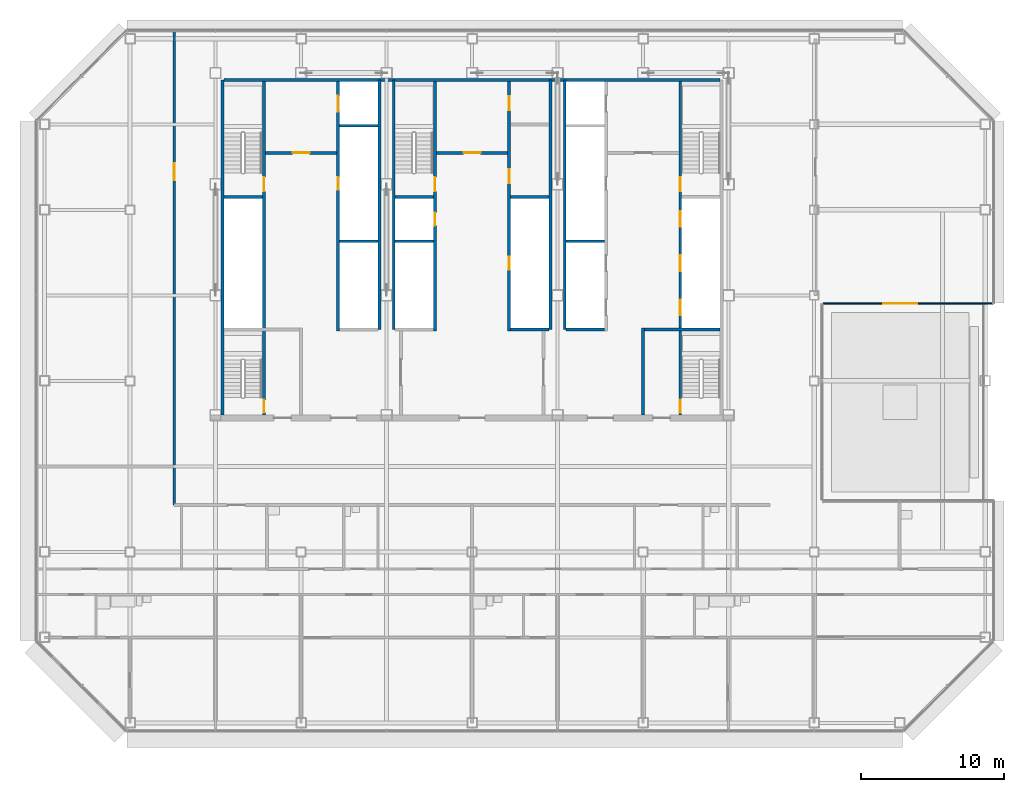
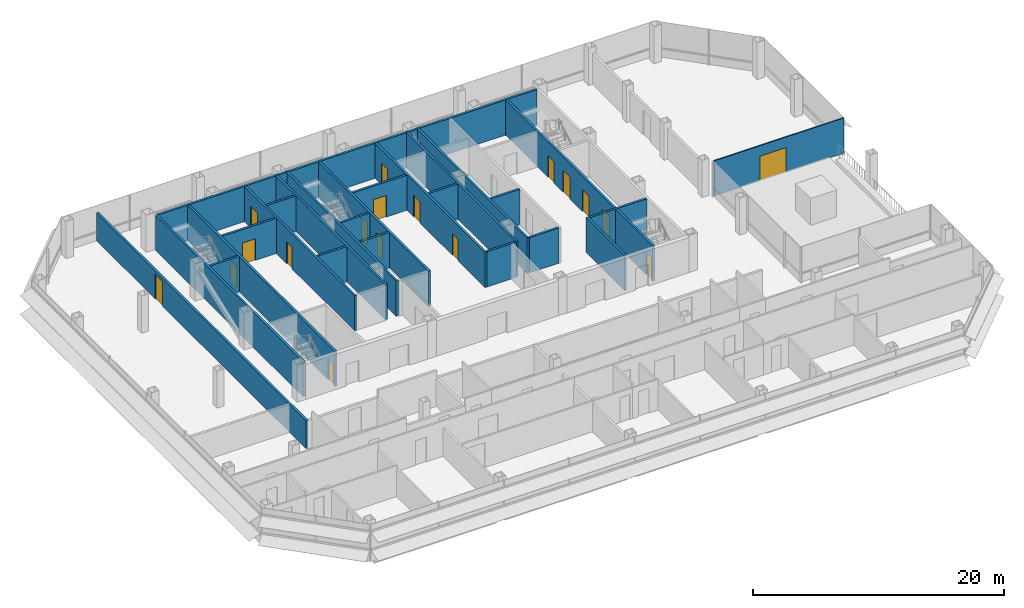
# One storey, part 21 of 27: 26 walls, 18 doors, 18 openings.
"""IFC4 building model written with IfcOpenShell, lengths in metres."""

from ifc_helpers import new_model, si_unit, direction, frame, frame_2d, origin, place, context, subcontext, project, spatial, rectangle, extrude, material, layer, layer_set, type_object, element, fill, save


model = new_model("IFC4")

# Units and contexts
model_context = context("Model", 3, precision=1e-05, world=origin(), true_north=direction((0.0, 1.0)))
body_context = subcontext(model_context, "Body", "Model", "MODEL_VIEW")
ifc_project = project(units=[si_unit("LENGTHUNIT", "METRE"), si_unit("AREAUNIT", "SQUARE_METRE"), si_unit("VOLUMEUNIT", "CUBIC_METRE"), si_unit("PLANEANGLEUNIT", "RADIAN"), si_unit("MASSUNIT", "GRAM", prefix="KILO")], contexts=[model_context])

# Site, building, storey
site_placement = place(None, origin())
site = spatial("IfcSite", under=ifc_project, at=site_placement, CompositionType="ELEMENT")
building_placement = place(site_placement, origin())
building = spatial("IfcBuilding", under=site, at=building_placement, Name="Sorahane Residences", CompositionType="ELEMENT")
storey_placement = place(building_placement, frame((0.0, 0.0, 167.199951171875)))
storey = spatial("IfcBuildingStorey", under=building, at=storey_placement, Name="L38", CompositionType="ELEMENT", Elevation=167.199951171875)

# Walls
ifc_material_1 = material(Name="Concrete C30", Category="concrete")
ifc_layer_1 = layer(ifc_material_1, 0.199951171875)
ifc_layer_set_1 = layer_set([ifc_layer_1], Name="Core face wall 200 EI 180")
wall_type_1 = type_object("IfcWallType", Name="Core face wall 200 EI 180", PredefinedType="SOLIDWALL", material=ifc_layer_set_1)
wall_1_placement = place(storey_placement, frame((6.5, 21.60009765625, 0.0), z_axis=(0.0, 0.0, 1.0), x_axis=(0.0, 1.0, 0.0)))
element("IfcWall", 1, at=wall_1_placement, inside=storey, type_object=wall_type_1, Name="L38 core face wall", PredefinedType="SOLIDWALL", context=body_context, shape_type="SweptSolid", body=[
    extrude(rectangle(XDim=23.5, YDim=0.199951171875, at=frame_2d((11.75, 0.0))), origin(), (0.0, 0.0, 1.0), 3.420166015625),
])
wall_2_placement = place(storey_placement, frame((6.60009765625, 45.10009765625, 0.0), z_axis=(0.0, 0.0, 1.0), x_axis=(1.0, 0.0, 0.0)))
element("IfcWall", 2, at=wall_2_placement, inside=storey, type_object=wall_type_1, Name="L38 core face wall", PredefinedType="SOLIDWALL", context=body_context, shape_type="SweptSolid", body=[
    extrude(rectangle(XDim=34.7998046875, YDim=0.199951171875, at=frame_2d((17.39990234375, 0.0))), origin(), (0.0, 0.0, 1.0), 3.420166015625),
])
for number, where, z_axis, x_axis, name in (
    (3, (17.5, 27.60009765625, 0.0), (0.0, 0.0, 1.0), (0.0, 1.0, 0.0), "L38 core face wall"),
    (4, (18.5, 27.60009765625, 0.0), (0.0, 0.0, 1.0), (0.0, 1.0, 0.0), "L38 core face wall"),
    (5, (29.5, 27.60009765625, 0.0), (0.0, 0.0, 1.0), (0.0, 1.0, 0.0), "L38 core face wall"),
    (6, (30.5, 27.60009765625, 0.0), (0.0, 0.0, 1.0), (0.0, 1.0, 0.0), "L38 core face wall"),
):
    element("IfcWall", number, at=place(storey_placement, frame(where, z_axis=z_axis, x_axis=x_axis)), inside=storey, type_object=wall_type_1, Name=name, PredefinedType="SOLIDWALL", context=body_context, shape_type="SweptSolid", body=[
        extrude(rectangle(XDim=17.5, YDim=0.199951171875, at=frame_2d((8.75, 0.0))), origin(), (0.0, 0.0, 1.0), 3.420166015625),
    ])

# Wall, opening, door
ifc_material_2 = material(Name="Concrete blockwork C20 wall", Category="masonry")
ifc_layer_2 = layer(ifc_material_2, 0.199951171875)
ifc_layer_set_2 = layer_set([ifc_layer_2], Name="Corridor wall 200 EI 120")
wall_type_2 = type_object("IfcWallType", Name="Corridor wall 200 EI 120", PredefinedType="SOLIDWALL", material=ifc_layer_set_2)
wall_3_placement = place(storey_placement, frame((3.10009765625, 15.300048828125, 0.0), z_axis=(0.0, 0.0, 1.0), x_axis=(0.0, 1.0, 0.0)))
wall_3 = element("IfcWall", 7, at=wall_3_placement, inside=storey, type_object=wall_type_2, Name="L38 corridor wall", PredefinedType="SOLIDWALL", context=body_context, shape_type="SweptSolid", body=[
    extrude(rectangle(XDim=33.300048828125, YDim=0.199951171875, at=frame_2d((16.64990234375, 0.0))), origin(), (0.0, 0.0, 1.0), 2.719970703125),
])
opening_1_placement = place(wall_3_placement, frame((22.760009765625, 0.0, 0.0)))
opening_1 = element("IfcOpeningElement", 8, at=opening_1_placement, cuts=wall_3, Name="Opening L38-30", PredefinedType="OPENING", context=body_context, shape_type="SweptSolid", body=[
    extrude(rectangle(XDim=1.199951171875, YDim=2.39990234375, at=frame_2d((0.60009765625, 1.199951171875))), frame((0.0, 0.10986328125, 0.0), z_axis=(0.0, -1.0, 0.0), x_axis=(1.0, 0.0, 0.0)), (0.0, 0.0, 1.0), 0.219970703125),
])
ifc_material_3 = material(Name="Steel", Category="steel")
door_type_1 = type_object("IfcDoorType", Name="Lobby door 1200x2400 FD60", OperationType="NOTDEFINED", PredefinedType="DOOR", material=ifc_material_3)
door_1_placement = place(opening_1_placement, origin())
door_1 = element("IfcDoor", 9, at=door_1_placement, inside=storey, type_object=door_type_1, Name="Lobby door L38-30", OperationType="SINGLE_SWING_LEFT", OverallHeight=2.39990234375, OverallWidth=1.199951171875, PredefinedType="DOOR", context=body_context, shape_type="SweptSolid", body=[
    extrude(rectangle(XDim=1.199951171875, YDim=2.39990234375, at=frame_2d((0.60009765625, 1.199951171875))), frame((0.0, 0.02490234375, 0.0), z_axis=(0.0, -1.0, 0.0), x_axis=(1.0, 0.0, 0.0)), (0.0, 0.0, 1.0), 0.050048828125),
])
fill(opening_1, door_1)

# Wall
ifc_material_4 = material(Name="Concrete C30", Category="concrete")
ifc_layer_3 = layer(ifc_material_4, 0.199951171875)
ifc_layer_set_3 = layer_set([ifc_layer_3], Name="Front room wall 200 EI 120")
wall_type_3 = type_object("IfcWallType", Name="Front room wall 200 EI 120", PredefinedType="PARTITIONING", material=ifc_layer_set_3)
wall_4_placement = place(storey_placement, frame((36.0, 21.60009765625, 0.0), z_axis=(0.0, 0.0, 1.0), x_axis=(0.0, 1.0, 0.0)))
element("IfcWall", 10, at=wall_4_placement, inside=storey, type_object=wall_type_3, Name="L38 front room wall", PredefinedType="PARTITIONING", context=body_context, shape_type="SweptSolid", body=[
    extrude(rectangle(XDim=6.099853515625, YDim=0.199951171875, at=frame_2d((3.0498046875, 0.0))), origin(), (0.0, 0.0, 1.0), 3.420166015625),
])

# Wall, opening, door
wall_5_placement = place(storey_placement, frame((21.5, 40.0, 0.0), z_axis=(0.0, 0.0, 1.0), x_axis=(1.0, 0.0, 0.0)))
wall_5 = element("IfcWall", 11, at=wall_5_placement, inside=storey, type_object=wall_type_3, Name="L38 front room wall", PredefinedType="PARTITIONING", context=body_context, shape_type="SweptSolid", body=[
    extrude(rectangle(XDim=5.0, YDim=0.199951171875, at=frame_2d((2.5, 0.0))), origin(), (0.0, 0.0, 1.0), 3.420166015625),
])
opening_2_placement = place(wall_5_placement, frame((1.89990234375, 0.0, 0.0)))
opening_2 = element("IfcOpeningElement", 12, at=opening_2_placement, cuts=wall_5, Name="Opening L38-C09", PredefinedType="OPENING", context=body_context, shape_type="SweptSolid", body=[
    extrude(rectangle(XDim=1.199951171875, YDim=2.10009765625, at=frame_2d((0.60009765625, 1.050048828125))), frame((0.0, 0.10986328125, 0.0), z_axis=(0.0, -1.0, 0.0), x_axis=(1.0, 0.0, 0.0)), (0.0, 0.0, 1.0), 0.219970703125),
])
ifc_material_5 = material(Name="Steel", Category="steel")
door_type_2 = type_object("IfcDoorType", Name="Front room door 1200x2100 FD120", OperationType="NOTDEFINED", PredefinedType="DOOR", material=ifc_material_5)
door_2_placement = place(opening_2_placement, frame((1.199951171875, 0.0, 0.0), z_axis=(0.0, 0.0, 1.0), x_axis=(-1.0, 0.0, 0.0)))
door_2 = element("IfcDoor", 13, at=door_2_placement, inside=storey, type_object=door_type_2, Name="Front room door Stair S3 vestibule L38", OperationType="DOUBLE_DOOR_SINGLE_SWING", OverallHeight=2.10009765625, OverallWidth=1.199951171875, PredefinedType="DOOR", context=body_context, shape_type="SweptSolid", body=[
    extrude(rectangle(XDim=1.199951171875, YDim=2.10009765625, at=frame_2d((0.60009765625, 1.050048828125))), frame((0.0, 0.02490234375, 0.0), z_axis=(0.0, -1.0, 0.0), x_axis=(1.0, 0.0, 0.0)), (0.0, 0.0, 1.0), 0.050048828125),
])
fill(opening_2, door_2)

wall_6_placement = place(storey_placement, frame((9.5, 40.0, 0.0), z_axis=(0.0, 0.0, 1.0), x_axis=(1.0, 0.0, 0.0)))
wall_6 = element("IfcWall", 14, at=wall_6_placement, inside=storey, type_object=wall_type_3, Name="L38 front room wall", PredefinedType="PARTITIONING", context=body_context, shape_type="SweptSolid", body=[
    extrude(rectangle(XDim=5.0, YDim=0.199951171875, at=frame_2d((2.5, 0.0))), origin(), (0.0, 0.0, 1.0), 3.420166015625),
])
opening_3_placement = place(wall_6_placement, frame((1.89990234375, 0.0, 0.0)))
opening_3 = element("IfcOpeningElement", 15, at=opening_3_placement, cuts=wall_6, Name="Opening L38-C08", PredefinedType="OPENING", context=body_context, shape_type="SweptSolid", body=[
    extrude(rectangle(XDim=1.199951171875, YDim=2.10009765625, at=frame_2d((0.60009765625, 1.050048828125))), frame((0.0, 0.10986328125, 0.0), z_axis=(0.0, -1.0, 0.0), x_axis=(1.0, 0.0, 0.0)), (0.0, 0.0, 1.0), 0.219970703125),
])
door_3_placement = place(opening_3_placement, frame((1.199951171875, 0.0, 0.0), z_axis=(0.0, 0.0, 1.0), x_axis=(-1.0, 0.0, 0.0)))
door_3 = element("IfcDoor", 16, at=door_3_placement, inside=storey, type_object=door_type_2, Name="Front room door Firefighting lobby FF1 front room L38", OperationType="DOUBLE_DOOR_SINGLE_SWING", OverallHeight=2.10009765625, OverallWidth=1.199951171875, PredefinedType="DOOR", context=body_context, shape_type="SweptSolid", body=[
    extrude(rectangle(XDim=1.199951171875, YDim=2.10009765625, at=frame_2d((0.60009765625, 1.050048828125))), frame((0.0, 0.02490234375, 0.0), z_axis=(0.0, -1.0, 0.0), x_axis=(1.0, 0.0, 0.0)), (0.0, 0.0, 1.0), 0.050048828125),
])
fill(opening_3, door_3)

ifc_material_6 = material(Name="Toughened low-iron glass", Category="glass")
ifc_layer_4 = layer(ifc_material_6, 0.10009765625)
ifc_layer_set_4 = layer_set([ifc_layer_4], Name="Glazed door screen toughened low-iron glass 100")
wall_type_4 = type_object("IfcWallType", Name="Glazed door screen toughened low-iron glass 100", PredefinedType="SOLIDWALL", material=ifc_layer_set_4)
wall_7_placement = place(storey_placement, frame((48.64990234375, 29.429931640625, 0.0), z_axis=(0.0, 0.0, 1.0), x_axis=(1.0, 0.0, 0.0)))
wall_7 = element("IfcWall", 17, at=wall_7_placement, inside=storey, type_object=wall_type_4, Name="Glazed door screen L38 S1.1", PredefinedType="SOLIDWALL", context=body_context, shape_type="SweptSolid", body=[
    extrude(rectangle(XDim=11.900146484375, YDim=0.10009765625, at=frame_2d((5.9501953125, 0.0))), origin(), (0.0, 0.0, 1.0), 3.420166015625),
])
opening_4_placement = place(wall_7_placement, frame((4.199951171875, 0.0, 0.0)))
opening_4 = element("IfcOpeningElement", 18, at=opening_4_placement, cuts=wall_7, Name="Opening L38-F01", PredefinedType="OPENING", context=body_context, shape_type="SweptSolid", body=[
    extrude(rectangle(XDim=2.39990234375, YDim=2.39990234375, at=frame_2d((1.199951171875, 1.199951171875))), frame((0.0, 0.06005859375, 0.0), z_axis=(0.0, -1.0, 0.0), x_axis=(1.0, 0.0, 0.0)), (0.0, 0.0, 1.0), 0.1201171875),
])
ifc_material_7 = material(Name="Black anodised aluminium and low-iron glass", Category="aluminium")
door_type_3 = type_object("IfcDoorType", Name="Glazed terrace door black aluminium 2400x2400", OperationType="DOUBLE_DOOR_SINGLE_SWING", PredefinedType="DOOR", material=ifc_material_7)
door_4_placement = place(opening_4_placement, origin())
door_4 = element("IfcDoor", 19, at=door_4_placement, inside=storey, type_object=door_type_3, Name="Terrace door L38-F01", OperationType="DOUBLE_DOOR_SINGLE_SWING", OverallHeight=2.39990234375, OverallWidth=2.39990234375, PredefinedType="DOOR", context=body_context, shape_type="SweptSolid", body=[
    extrude(rectangle(XDim=2.39990234375, YDim=2.39990234375, at=frame_2d((1.199951171875, 1.199951171875))), frame((0.0, 0.02490234375, 0.0), z_axis=(0.0, -1.0, 0.0), x_axis=(1.0, 0.0, 0.0)), (0.0, 0.0, 1.0), 0.050048828125),
])
fill(opening_4, door_4)

# Wall, openings, doors
ifc_material_8 = material(Name="Concrete C30", Category="concrete")
ifc_layer_5 = layer(ifc_material_8, 0.199951171875)
ifc_layer_set_5 = layer_set([ifc_layer_5], Name="Lift shaft wall 200 EI 120")
wall_type_5 = type_object("IfcWallType", Name="Lift shaft wall 200 EI 120", PredefinedType="SOLIDWALL", material=ifc_layer_set_5)
wall_8_placement = place(storey_placement, frame((14.60009765625, 27.5, 0.0), z_axis=(0.0, 0.0, 1.0), x_axis=(0.0, 1.0, 0.0)))
wall_8 = element("IfcWall", 20, at=wall_8_placement, inside=storey, type_object=wall_type_5, Name="L38 lift shaft wall", PredefinedType="SOLIDWALL", context=body_context, shape_type="SweptSolid", body=[
    extrude(rectangle(XDim=17.5, YDim=0.199951171875, at=frame_2d((8.75, 0.0))), origin(), (0.0, 0.0, 1.0), 3.420166015625),
])
opening_5_placement = place(wall_8_placement, frame((15.39990234375, 0.0, 0.0)))
opening_5 = element("IfcOpeningElement", 21, at=opening_5_placement, cuts=wall_8, Name="Opening L38-C17", PredefinedType="OPENING", context=body_context, shape_type="SweptSolid", body=[
    extrude(rectangle(XDim=1.10009765625, YDim=2.10009765625, at=frame_2d((0.550048828125, 1.050048828125))), frame((0.0, 0.10986328125, 0.0), z_axis=(0.0, -1.0, 0.0), x_axis=(1.0, 0.0, 0.0)), (0.0, 0.0, 1.0), 0.219970703125),
])
opening_6_placement = place(wall_8_placement, frame((9.89990234375, 0.0, 0.0)))
opening_6 = element("IfcOpeningElement", 22, at=opening_6_placement, cuts=wall_8, Name="Opening L38-C23", PredefinedType="OPENING", context=body_context, shape_type="SweptSolid", body=[
    extrude(rectangle(XDim=0.89990234375, YDim=2.10009765625, at=frame_2d((0.449951171875, 1.050048828125))), frame((0.0, 0.10986328125, 0.0), z_axis=(0.0, -1.0, 0.0), x_axis=(1.0, 0.0, 0.0)), (0.0, 0.0, 1.0), 0.219970703125),
])
ifc_material_9 = material(Name="Aluminium and stainless steel", Category="steel")
door_type_4 = type_object("IfcDoorType", Name="Lift landing door 1100x2100 E 60", OperationType="NOTDEFINED", PredefinedType="DOOR", material=ifc_material_9)
door_5_placement = place(opening_5_placement, origin())
door_5 = element("IfcDoor", 23, at=door_5_placement, inside=storey, type_object=door_type_4, Name="Lift landing door FF1 L38", OperationType="DOUBLE_DOOR_SLIDING", OverallHeight=2.10009765625, OverallWidth=1.10009765625, PredefinedType="DOOR", context=body_context, shape_type="SweptSolid", body=[
    extrude(rectangle(XDim=1.10009765625, YDim=2.10009765625, at=frame_2d((0.550048828125, 1.050048828125))), frame((0.0, 0.02490234375, 0.0), z_axis=(0.0, -1.0, 0.0), x_axis=(1.0, 0.0, 0.0)), (0.0, 0.0, 1.0), 0.050048828125),
])
fill(opening_5, door_5)
ifc_material_10 = material(Name="Steel", Category="steel")
door_type_5 = type_object("IfcDoorType", Name="Riser door 900x2100 FD120", OperationType="NOTDEFINED", PredefinedType="DOOR", material=ifc_material_10)
door_6_placement = place(opening_6_placement, origin())
door_6 = element("IfcDoor", 24, at=door_6_placement, inside=storey, type_object=door_type_5, Name="Riser door R1 L38", OperationType="SINGLE_SWING_LEFT", OverallHeight=2.10009765625, OverallWidth=0.89990234375, PredefinedType="DOOR", context=body_context, shape_type="SweptSolid", body=[
    extrude(rectangle(XDim=0.89990234375, YDim=2.10009765625, at=frame_2d((0.449951171875, 1.050048828125))), frame((0.0, 0.02490234375, 0.0), z_axis=(0.0, -1.0, 0.0), x_axis=(1.0, 0.0, 0.0)), (0.0, 0.0, 1.0), 0.050048828125),
])
fill(opening_6, door_6)

# Walls
for number, where, z_axis, x_axis, name in (
    (25, (30.60009765625, 27.60009765625, 0.0), (0.0, 0.0, 1.0), (1.0, 0.0, 0.0), "L38 lift shaft wall"),
    (26, (14.699951171875, 33.800048828125, 0.0), (0.0, 0.0, 1.0), (1.0, 0.0, 0.0), "L38 lift shaft wall"),
    (27, (18.60009765625, 33.800048828125, 0.0), (0.0, 0.0, 1.0), (1.0, 0.0, 0.0), "L38 lift shaft wall"),
    (28, (30.60009765625, 33.800048828125, 0.0), (0.0, 0.0, 1.0), (1.0, 0.0, 0.0), "L38 lift shaft wall"),
    (29, (14.699951171875, 41.89990234375, 0.0), (0.0, 0.0, 1.0), (1.0, 0.0, 0.0), "L38 lift shaft wall"),
):
    element("IfcWall", number, at=place(storey_placement, frame(where, z_axis=z_axis, x_axis=x_axis)), inside=storey, type_object=wall_type_5, Name=name, PredefinedType="SOLIDWALL", context=body_context, shape_type="SweptSolid", body=[
        extrude(rectangle(XDim=2.699951171875, YDim=0.199951171875, at=frame_2d((1.35009765625, 0.0))), origin(), (0.0, 0.0, 1.0), 3.420166015625),
    ])

# Wall, openings, doors
ifc_material_11 = material(Name="Concrete C30", Category="concrete")
ifc_layer_6 = layer(ifc_material_11, 0.199951171875)
ifc_layer_set_6 = layer_set([ifc_layer_6], Name="Riser shaft wall 200 EI 120")
wall_type_6 = type_object("IfcWallType", Name="Riser shaft wall 200 EI 120", PredefinedType="SOLIDWALL", material=ifc_layer_set_6)
wall_9_placement = place(storey_placement, frame((26.60009765625, 27.5, 0.0), z_axis=(0.0, 0.0, 1.0), x_axis=(0.0, 1.0, 0.0)))
wall_9 = element("IfcWall", 30, at=wall_9_placement, inside=storey, type_object=wall_type_6, Name="L38 riser wall", PredefinedType="SOLIDWALL", context=body_context, shape_type="SweptSolid", body=[
    extrude(rectangle(XDim=17.5, YDim=0.199951171875, at=frame_2d((8.75, 0.0))), origin(), (0.0, 0.0, 1.0), 3.420166015625),
])
opening_7_placement = place(wall_9_placement, frame((4.300048828125, 0.0, 0.0)))
opening_7 = element("IfcOpeningElement", 31, at=opening_7_placement, cuts=wall_9, Name="Opening L38-C26", PredefinedType="OPENING", context=body_context, shape_type="SweptSolid", body=[
    extrude(rectangle(XDim=0.89990234375, YDim=2.10009765625, at=frame_2d((0.449951171875, 1.050048828125))), frame((0.0, 0.10986328125, 0.0), z_axis=(0.0, -1.0, 0.0), x_axis=(1.0, 0.0, 0.0)), (0.0, 0.0, 1.0), 0.219970703125),
])
opening_8_placement = place(wall_9_placement, frame((10.35009765625, 0.0, 0.0)))
opening_8 = element("IfcOpeningElement", 32, at=opening_8_placement, cuts=wall_9, Name="Opening L38-C27", PredefinedType="OPENING", context=body_context, shape_type="SweptSolid", body=[
    extrude(rectangle(XDim=1.0, YDim=2.10009765625, at=frame_2d((0.5, 1.050048828125))), frame((0.0, 0.10986328125, 0.0), z_axis=(0.0, -1.0, 0.0), x_axis=(1.0, 0.0, 0.0)), (0.0, 0.0, 1.0), 0.219970703125),
])
opening_9_placement = place(wall_9_placement, frame((15.47509765625, 0.0, 0.0)))
opening_9 = element("IfcOpeningElement", 33, at=opening_9_placement, cuts=wall_9, Name="Opening L38-C28", PredefinedType="OPENING", context=body_context, shape_type="SweptSolid", body=[
    extrude(rectangle(XDim=1.0, YDim=2.10009765625, at=frame_2d((0.5, 1.050048828125))), frame((0.0, 0.10986328125, 0.0), z_axis=(0.0, -1.0, 0.0), x_axis=(1.0, 0.0, 0.0)), (0.0, 0.0, 1.0), 0.219970703125),
])
door_7_placement = place(opening_7_placement, origin())
door_7 = element("IfcDoor", 34, at=door_7_placement, inside=storey, type_object=door_type_5, Name="Riser door R4 L38", OperationType="SINGLE_SWING_LEFT", OverallHeight=2.10009765625, OverallWidth=0.89990234375, PredefinedType="DOOR", context=body_context, shape_type="SweptSolid", body=[
    extrude(rectangle(XDim=0.89990234375, YDim=2.10009765625, at=frame_2d((0.449951171875, 1.050048828125))), frame((0.0, 0.02490234375, 0.0), z_axis=(0.0, -1.0, 0.0), x_axis=(1.0, 0.0, 0.0)), (0.0, 0.0, 1.0), 0.050048828125),
])
fill(opening_7, door_7)
ifc_material_12 = material(Name="Steel", Category="steel")
door_type_6 = type_object("IfcDoorType", Name="Service room door 1000x2100 FD60", OperationType="NOTDEFINED", PredefinedType="DOOR", material=ifc_material_12)
door_8_placement = place(opening_8_placement, frame((1.0, 0.0, 0.0), z_axis=(0.0, 0.0, 1.0), x_axis=(-1.0, 0.0, 0.0)))
door_8 = element("IfcDoor", 35, at=door_8_placement, inside=storey, type_object=door_type_6, Name="Service room door Parcel room L38", OperationType="SINGLE_SWING_LEFT", OverallHeight=2.10009765625, OverallWidth=1.0, PredefinedType="DOOR", context=body_context, shape_type="SweptSolid", body=[
    extrude(rectangle(XDim=1.0, YDim=2.10009765625, at=frame_2d((0.5, 1.050048828125))), frame((0.0, 0.02490234375, 0.0), z_axis=(0.0, -1.0, 0.0), x_axis=(1.0, 0.0, 0.0)), (0.0, 0.0, 1.0), 0.050048828125),
])
fill(opening_8, door_8)
door_9_placement = place(opening_9_placement, frame((1.0, 0.0, 0.0), z_axis=(0.0, 0.0, 1.0), x_axis=(-1.0, 0.0, 0.0)))
door_9 = element("IfcDoor", 36, at=door_9_placement, inside=storey, type_object=door_type_6, Name="Service room door Refuse room L38", OperationType="SINGLE_SWING_RIGHT", OverallHeight=2.10009765625, OverallWidth=1.0, PredefinedType="DOOR", context=body_context, shape_type="SweptSolid", body=[
    extrude(rectangle(XDim=1.0, YDim=2.10009765625, at=frame_2d((0.5, 1.050048828125))), frame((0.0, 0.02490234375, 0.0), z_axis=(0.0, -1.0, 0.0), x_axis=(1.0, 0.0, 0.0)), (0.0, 0.0, 1.0), 0.050048828125),
])
fill(opening_9, door_9)

# Walls
for number, where, z_axis, x_axis, name in (
    (37, (26.699951171875, 27.60009765625, 0.0), (0.0, 0.0, 1.0), (1.0, 0.0, 0.0), "L38 riser wall"),
    (38, (26.699951171875, 36.89990234375, 0.0), (0.0, 0.0, 1.0), (1.0, 0.0, 0.0), "L38 riser wall"),
):
    element("IfcWall", number, at=place(storey_placement, frame(where, z_axis=z_axis, x_axis=x_axis)), inside=storey, type_object=wall_type_6, Name=name, PredefinedType="SOLIDWALL", context=body_context, shape_type="SweptSolid", body=[
        extrude(rectangle(XDim=2.699951171875, YDim=0.199951171875, at=frame_2d((1.35009765625, 0.0))), origin(), (0.0, 0.0, 1.0), 3.420166015625),
    ])

# Wall, openings, doors
ifc_material_13 = material(Name="Concrete C30", Category="concrete")
ifc_layer_7 = layer(ifc_material_13, 0.199951171875)
ifc_layer_set_7 = layer_set([ifc_layer_7], Name="Stair enclosure wall 200 EI 120")
wall_type_7 = type_object("IfcWallType", Name="Stair enclosure wall 200 EI 120", PredefinedType="SOLIDWALL", material=ifc_layer_set_7)
wall_10_placement = place(storey_placement, frame((21.39990234375, 27.5, 0.0), z_axis=(0.0, 0.0, 1.0), x_axis=(0.0, 1.0, 0.0)))
wall_10 = element("IfcWall", 39, at=wall_10_placement, inside=storey, type_object=wall_type_7, Name="L38 stair enclosure wall", PredefinedType="SOLIDWALL", context=body_context, shape_type="SweptSolid", body=[
    extrude(rectangle(XDim=17.5, YDim=0.199951171875, at=frame_2d((8.75, 0.0))), origin(), (0.0, 0.0, 1.0), 3.420166015625),
])
opening_10_placement = place(wall_10_placement, frame((9.800048828125, 0.0, 0.0)))
opening_10 = element("IfcOpeningElement", 40, at=opening_10_placement, cuts=wall_10, Name="Opening L38-C20", PredefinedType="OPENING", context=body_context, shape_type="SweptSolid", body=[
    extrude(rectangle(XDim=1.0, YDim=2.10009765625, at=frame_2d((0.5, 1.050048828125))), frame((0.0, 0.10986328125, 0.0), z_axis=(0.0, -1.0, 0.0), x_axis=(1.0, 0.0, 0.0)), (0.0, 0.0, 1.0), 0.219970703125),
])
opening_11_placement = place(wall_10_placement, frame((7.39990234375, 0.0, 0.0)))
opening_11 = element("IfcOpeningElement", 41, at=opening_11_placement, cuts=wall_10, Name="Opening L38-C25", PredefinedType="OPENING", context=body_context, shape_type="SweptSolid", body=[
    extrude(rectangle(XDim=0.89990234375, YDim=2.10009765625, at=frame_2d((0.449951171875, 1.050048828125))), frame((0.0, 0.10986328125, 0.0), z_axis=(0.0, -1.0, 0.0), x_axis=(1.0, 0.0, 0.0)), (0.0, 0.0, 1.0), 0.219970703125),
])
door_10_placement = place(opening_11_placement, frame((0.89990234375, 0.0, 0.0), z_axis=(0.0, 0.0, 1.0), x_axis=(-1.0, 0.0, 0.0)))
door_10 = element("IfcDoor", 42, at=door_10_placement, inside=storey, type_object=door_type_5, Name="Riser door R3 L38", OperationType="SINGLE_SWING_LEFT", OverallHeight=2.10009765625, OverallWidth=0.89990234375, PredefinedType="DOOR", context=body_context, shape_type="SweptSolid", body=[
    extrude(rectangle(XDim=0.89990234375, YDim=2.10009765625, at=frame_2d((0.449951171875, 1.050048828125))), frame((0.0, 0.02490234375, 0.0), z_axis=(0.0, -1.0, 0.0), x_axis=(1.0, 0.0, 0.0)), (0.0, 0.0, 1.0), 0.050048828125),
])
fill(opening_11, door_10)
ifc_material_14 = material(Name="Steel", Category="steel")
door_type_7 = type_object("IfcDoorType", Name="Stair door 1000x2100 FD120", OperationType="NOTDEFINED", PredefinedType="DOOR", material=ifc_material_14)
door_11_placement = place(opening_10_placement, origin())
door_11 = element("IfcDoor", 43, at=door_11_placement, inside=storey, type_object=door_type_7, Name="Stair door S3 L38", OperationType="SINGLE_SWING_LEFT", OverallHeight=2.10009765625, OverallWidth=1.0, PredefinedType="DOOR", context=body_context, shape_type="SweptSolid", body=[
    extrude(rectangle(XDim=1.0, YDim=2.10009765625, at=frame_2d((0.5, 1.050048828125))), frame((0.0, 0.02490234375, 0.0), z_axis=(0.0, -1.0, 0.0), x_axis=(1.0, 0.0, 0.0)), (0.0, 0.0, 1.0), 0.050048828125),
])
fill(opening_10, door_11)

wall_11_placement = place(storey_placement, frame((38.60009765625, 21.60009765625, 0.0), z_axis=(0.0, 0.0, 1.0), x_axis=(0.0, 1.0, 0.0)))
wall_11 = element("IfcWall", 44, at=wall_11_placement, inside=storey, type_object=wall_type_7, Name="L38 stair enclosure wall", PredefinedType="SOLIDWALL", context=body_context, shape_type="SweptSolid", body=[
    extrude(rectangle(XDim=23.39990234375, YDim=0.199951171875, at=frame_2d((11.699951171875, 0.0))), origin(), (0.0, 0.0, 1.0), 3.420166015625),
])
opening_12_placement = place(wall_11_placement, frame((7.0, 0.0, 0.0)))
opening_12 = element("IfcOpeningElement", 45, at=opening_12_placement, cuts=wall_11, Name="Opening L38-C11", PredefinedType="OPENING", context=body_context, shape_type="SweptSolid", body=[
    extrude(rectangle(XDim=1.10009765625, YDim=2.10009765625, at=frame_2d((0.550048828125, 1.050048828125))), frame((0.0, 0.10986328125, 0.0), z_axis=(0.0, -1.0, 0.0), x_axis=(1.0, 0.0, 0.0)), (0.0, 0.0, 1.0), 0.219970703125),
])
opening_13_placement = place(wall_11_placement, frame((10.10009765625, 0.0, 0.0)))
opening_13 = element("IfcOpeningElement", 46, at=opening_13_placement, cuts=wall_11, Name="Opening L38-C12", PredefinedType="OPENING", context=body_context, shape_type="SweptSolid", body=[
    extrude(rectangle(XDim=1.10009765625, YDim=2.10009765625, at=frame_2d((0.550048828125, 1.050048828125))), frame((0.0, 0.10986328125, 0.0), z_axis=(0.0, -1.0, 0.0), x_axis=(1.0, 0.0, 0.0)), (0.0, 0.0, 1.0), 0.219970703125),
])
opening_14_placement = place(wall_11_placement, frame((13.199951171875, 0.0, 0.0)))
opening_14 = element("IfcOpeningElement", 47, at=opening_14_placement, cuts=wall_11, Name="Opening L38-C13", PredefinedType="OPENING", context=body_context, shape_type="SweptSolid", body=[
    extrude(rectangle(XDim=1.10009765625, YDim=2.10009765625, at=frame_2d((0.550048828125, 1.050048828125))), frame((0.0, 0.10986328125, 0.0), z_axis=(0.0, -1.0, 0.0), x_axis=(1.0, 0.0, 0.0)), (0.0, 0.0, 1.0), 0.219970703125),
])
opening_15_placement = place(wall_11_placement, frame((15.699951171875, 0.0, 0.0)))
opening_15 = element("IfcOpeningElement", 48, at=opening_15_placement, cuts=wall_11, Name="Opening L38-C19", PredefinedType="OPENING", context=body_context, shape_type="SweptSolid", body=[
    extrude(rectangle(XDim=1.0, YDim=2.10009765625, at=frame_2d((0.5, 1.050048828125))), frame((0.0, 0.10986328125, 0.0), z_axis=(0.0, -1.0, 0.0), x_axis=(1.0, 0.0, 0.0)), (0.0, 0.0, 1.0), 0.219970703125),
])
opening_16_placement = place(wall_11_placement, frame((0.175048828125, 0.0, 0.0)))
opening_16 = element("IfcOpeningElement", 49, at=opening_16_placement, cuts=wall_11, Name="Opening L38-C22", PredefinedType="OPENING", context=body_context, shape_type="SweptSolid", body=[
    extrude(rectangle(XDim=0.89990234375, YDim=2.10009765625, at=frame_2d((0.449951171875, 1.050048828125))), frame((0.0, 0.10986328125, 0.0), z_axis=(0.0, -1.0, 0.0), x_axis=(1.0, 0.0, 0.0)), (0.0, 0.0, 1.0), 0.219970703125),
])
door_12_placement = place(opening_12_placement, origin())
door_12 = element("IfcDoor", 50, at=door_12_placement, inside=storey, type_object=door_type_4, Name="Lift landing door HR1 L38", OperationType="DOUBLE_DOOR_SLIDING", OverallHeight=2.10009765625, OverallWidth=1.10009765625, PredefinedType="DOOR", context=body_context, shape_type="SweptSolid", body=[
    extrude(rectangle(XDim=1.10009765625, YDim=2.10009765625, at=frame_2d((0.550048828125, 1.050048828125))), frame((0.0, 0.02490234375, 0.0), z_axis=(0.0, -1.0, 0.0), x_axis=(1.0, 0.0, 0.0)), (0.0, 0.0, 1.0), 0.050048828125),
])
fill(opening_12, door_12)
door_13_placement = place(opening_13_placement, origin())
door_13 = element("IfcDoor", 51, at=door_13_placement, inside=storey, type_object=door_type_4, Name="Lift landing door HR2 L38", OperationType="DOUBLE_DOOR_SLIDING", OverallHeight=2.10009765625, OverallWidth=1.10009765625, PredefinedType="DOOR", context=body_context, shape_type="SweptSolid", body=[
    extrude(rectangle(XDim=1.10009765625, YDim=2.10009765625, at=frame_2d((0.550048828125, 1.050048828125))), frame((0.0, 0.02490234375, 0.0), z_axis=(0.0, -1.0, 0.0), x_axis=(1.0, 0.0, 0.0)), (0.0, 0.0, 1.0), 0.050048828125),
])
fill(opening_13, door_13)
door_14_placement = place(opening_14_placement, origin())
door_14 = element("IfcDoor", 52, at=door_14_placement, inside=storey, type_object=door_type_4, Name="Lift landing door HR3 L38", OperationType="DOUBLE_DOOR_SLIDING", OverallHeight=2.10009765625, OverallWidth=1.10009765625, PredefinedType="DOOR", context=body_context, shape_type="SweptSolid", body=[
    extrude(rectangle(XDim=1.10009765625, YDim=2.10009765625, at=frame_2d((0.550048828125, 1.050048828125))), frame((0.0, 0.02490234375, 0.0), z_axis=(0.0, -1.0, 0.0), x_axis=(1.0, 0.0, 0.0)), (0.0, 0.0, 1.0), 0.050048828125),
])
fill(opening_14, door_14)
door_15_placement = place(opening_15_placement, frame((1.0, 0.0, 0.0), z_axis=(0.0, 0.0, 1.0), x_axis=(-1.0, 0.0, 0.0)))
door_15 = element("IfcDoor", 53, at=door_15_placement, inside=storey, type_object=door_type_7, Name="Stair door S2 L38", OperationType="SINGLE_SWING_LEFT", OverallHeight=2.10009765625, OverallWidth=1.0, PredefinedType="DOOR", context=body_context, shape_type="SweptSolid", body=[
    extrude(rectangle(XDim=1.0, YDim=2.10009765625, at=frame_2d((0.5, 1.050048828125))), frame((0.0, 0.02490234375, 0.0), z_axis=(0.0, -1.0, 0.0), x_axis=(1.0, 0.0, 0.0)), (0.0, 0.0, 1.0), 0.050048828125),
])
fill(opening_15, door_15)
ifc_material_15 = material(Name="Steel", Category="steel")
door_type_8 = type_object("IfcDoorType", Name="Stair door 900x2100 FD120", OperationType="NOTDEFINED", PredefinedType="DOOR", material=ifc_material_15)
door_16_placement = place(opening_16_placement, frame((0.89990234375, 0.0, 0.0), z_axis=(0.0, 0.0, 1.0), x_axis=(-1.0, 0.0, 0.0)))
door_16 = element("IfcDoor", 54, at=door_16_placement, inside=storey, type_object=door_type_8, Name="Stair door S5 L38", OperationType="SINGLE_SWING_LEFT", OverallHeight=2.10009765625, OverallWidth=0.89990234375, PredefinedType="DOOR", context=body_context, shape_type="SweptSolid", body=[
    extrude(rectangle(XDim=0.89990234375, YDim=2.10009765625, at=frame_2d((0.449951171875, 1.050048828125))), frame((0.0, 0.02490234375, 0.0), z_axis=(0.0, -1.0, 0.0), x_axis=(1.0, 0.0, 0.0)), (0.0, 0.0, 1.0), 0.050048828125),
])
fill(opening_16, door_16)

wall_12_placement = place(storey_placement, frame((9.39990234375, 21.60009765625, 0.0), z_axis=(0.0, 0.0, 1.0), x_axis=(0.0, 1.0, 0.0)))
wall_12 = element("IfcWall", 55, at=wall_12_placement, inside=storey, type_object=wall_type_7, Name="L38 stair enclosure wall", PredefinedType="SOLIDWALL", context=body_context, shape_type="SweptSolid", body=[
    extrude(rectangle(XDim=23.39990234375, YDim=0.199951171875, at=frame_2d((11.699951171875, 0.0))), origin(), (0.0, 0.0, 1.0), 3.420166015625),
])
opening_17_placement = place(wall_12_placement, frame((15.699951171875, 0.0, 0.0)))
opening_17 = element("IfcOpeningElement", 56, at=opening_17_placement, cuts=wall_12, Name="Opening L38-C18", PredefinedType="OPENING", context=body_context, shape_type="SweptSolid", body=[
    extrude(rectangle(XDim=1.0, YDim=2.10009765625, at=frame_2d((0.5, 1.050048828125))), frame((0.0, 0.10986328125, 0.0), z_axis=(0.0, -1.0, 0.0), x_axis=(1.0, 0.0, 0.0)), (0.0, 0.0, 1.0), 0.219970703125),
])
opening_18_placement = place(wall_12_placement, frame((0.175048828125, 0.0, 0.0)))
opening_18 = element("IfcOpeningElement", 57, at=opening_18_placement, cuts=wall_12, Name="Opening L38-C21", PredefinedType="OPENING", context=body_context, shape_type="SweptSolid", body=[
    extrude(rectangle(XDim=0.89990234375, YDim=2.10009765625, at=frame_2d((0.449951171875, 1.050048828125))), frame((0.0, 0.10986328125, 0.0), z_axis=(0.0, -1.0, 0.0), x_axis=(1.0, 0.0, 0.0)), (0.0, 0.0, 1.0), 0.219970703125),
])
door_17_placement = place(opening_17_placement, origin())
door_17 = element("IfcDoor", 58, at=door_17_placement, inside=storey, type_object=door_type_7, Name="Stair door S1 L38", OperationType="SINGLE_SWING_LEFT", OverallHeight=2.10009765625, OverallWidth=1.0, PredefinedType="DOOR", context=body_context, shape_type="SweptSolid", body=[
    extrude(rectangle(XDim=1.0, YDim=2.10009765625, at=frame_2d((0.5, 1.050048828125))), frame((0.0, 0.02490234375, 0.0), z_axis=(0.0, -1.0, 0.0), x_axis=(1.0, 0.0, 0.0)), (0.0, 0.0, 1.0), 0.050048828125),
])
fill(opening_17, door_17)
door_18_placement = place(opening_18_placement, origin())
door_18 = element("IfcDoor", 59, at=door_18_placement, inside=storey, type_object=door_type_8, Name="Stair door S4 L38", OperationType="SINGLE_SWING_LEFT", OverallHeight=2.10009765625, OverallWidth=0.89990234375, PredefinedType="DOOR", context=body_context, shape_type="SweptSolid", body=[
    extrude(rectangle(XDim=0.89990234375, YDim=2.10009765625, at=frame_2d((0.449951171875, 1.050048828125))), frame((0.0, 0.02490234375, 0.0), z_axis=(0.0, -1.0, 0.0), x_axis=(1.0, 0.0, 0.0)), (0.0, 0.0, 1.0), 0.050048828125),
])
fill(opening_18, door_18)

# Walls
wall_13_placement = place(storey_placement, frame((36.10009765625, 27.60009765625, 0.0), z_axis=(0.0, 0.0, 1.0), x_axis=(1.0, 0.0, 0.0)))
element("IfcWall", 60, at=wall_13_placement, inside=storey, type_object=wall_type_7, Name="L38 stair enclosure wall", PredefinedType="SOLIDWALL", context=body_context, shape_type="SweptSolid", body=[
    extrude(rectangle(XDim=5.2998046875, YDim=0.199951171875, at=frame_2d((2.64990234375, 0.0))), origin(), (0.0, 0.0, 1.0), 3.420166015625),
])
for number, where, z_axis, x_axis, name in (
    (61, (18.60009765625, 36.89990234375, 0.0), (0.0, 0.0, 1.0), (1.0, 0.0, 0.0), "L38 stair enclosure wall"),
    (62, (6.60009765625, 36.89990234375, 0.0), (0.0, 0.0, 1.0), (1.0, 0.0, 0.0), "L38 stair enclosure wall"),
):
    element("IfcWall", number, at=place(storey_placement, frame(where, z_axis=z_axis, x_axis=x_axis)), inside=storey, type_object=wall_type_7, Name=name, PredefinedType="SOLIDWALL", context=body_context, shape_type="SweptSolid", body=[
        extrude(rectangle(XDim=2.699951171875, YDim=0.199951171875, at=frame_2d((1.35009765625, 0.0))), origin(), (0.0, 0.0, 1.0), 3.420166015625),
    ])

save(model, "model.ifc")
